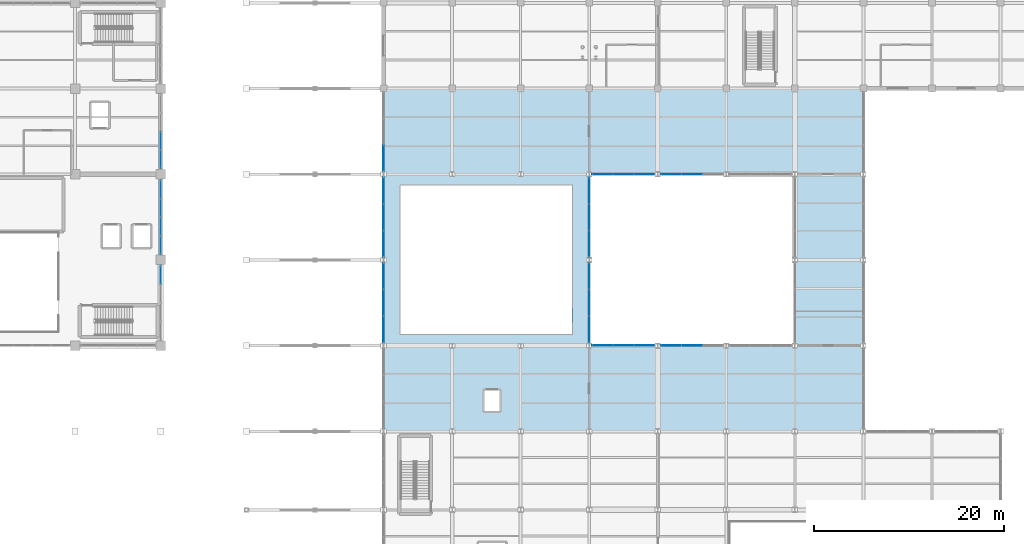
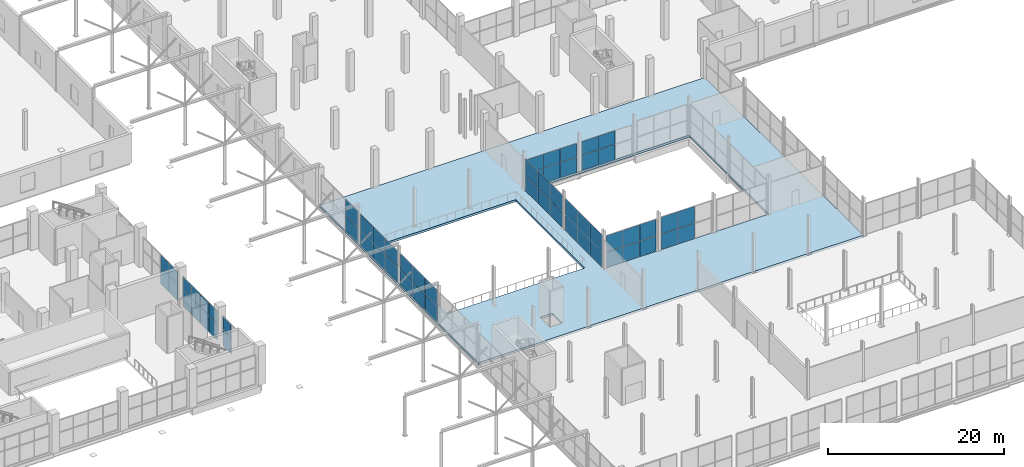
# One storey, part 115 of 147: 60 plates, 1 slab, 12 elements without a shape of their own.
"""IFC4 building model written with IfcOpenShell, lengths in metres."""

from ifc_helpers import new_model, si_unit, direction, frame, origin, origin_2d, place, context, subcontext, project, spatial, polyline, rectangle, outline, extrude, material, layer, layer_set, type_object, element, aggregate, save


model = new_model("IFC4")

# Units and contexts
model_context = context("Model", 3, precision=1e-05, world=origin(), true_north=direction((0.0, 1.0)))
body_context = subcontext(model_context, "Body", "Model", "MODEL_VIEW")
ifc_project = project(units=[si_unit("LENGTHUNIT", "METRE"), si_unit("AREAUNIT", "SQUARE_METRE"), si_unit("VOLUMEUNIT", "CUBIC_METRE"), si_unit("PLANEANGLEUNIT", "RADIAN"), si_unit("MASSUNIT", "GRAM", prefix="KILO")], contexts=[model_context])

# Site, building, storey
site_placement = place(None, origin())
site = spatial("IfcSite", under=ifc_project, at=site_placement, CompositionType="ELEMENT")
building_placement = place(site_placement, origin())
building = spatial("IfcBuilding", under=site, at=building_placement, Name="Sundgate Opera House", CompositionType="ELEMENT")
storey_placement = place(building_placement, frame((0.0, 0.0, 6.0)))
storey = spatial("IfcBuildingStorey", under=building, at=storey_placement, Name="L01", CompositionType="ELEMENT", Elevation=6.0)

# Curtain wall, plates
ifc_material_1 = material(Name="Anodized aluminium and low-iron glass", Category="aluminium")
ifc_layer_1 = layer(ifc_material_1, 0.179931640625)
ifc_layer_set_1 = layer_set([ifc_layer_1], Name="Anodized aluminium and low-iron glass")
curtain_wall_type_1 = type_object("IfcCurtainWallType", Name="CW-FOYER-GLASS", PredefinedType="NOTDEFINED", material=ifc_layer_set_1)
curtain_wall_1_placement = place(storey_placement, origin())
curtain_wall_1 = element("IfcCurtainWall", 1, at=curtain_wall_1_placement, inside=storey, type_object=curtain_wall_type_1, Name="L01 Curtain Wall CW023", PredefinedType="NOTDEFINED")
ifc_material_2 = material(Name="Low-iron triple acoustic glazing", Category="glass")
ifc_layer_2 = layer(ifc_material_2, 0.035888671875)
ifc_layer_set_2 = layer_set([ifc_layer_2], Name="Low-iron triple acoustic glazing")
plate_type_1 = type_object("IfcPlateType", Name="CWP-CLEAR-36", PredefinedType="CURTAIN_PANEL", material=ifc_layer_set_2)
plate_1_placement = place(storey_placement, frame((72.0, 49.425048828125, 0.02001953125), z_axis=(0.0, 0.0, 1.0), x_axis=(0.0, 1.0, 0.0)))
plate_1 = element("IfcPlate", 2, at=plate_1_placement, type_object=plate_type_1, Name="CW023 Panel 7", PredefinedType="CURTAIN_PANEL", context=body_context, shape_type="SweptSolid", body=[
    extrude(rectangle(XDim=1.909912109375, YDim=0.035888671875, at=origin_2d()), origin(), (0.0, 0.0, 1.0), 2.260009765625),
])
plate_2_placement = place(storey_placement, frame((72.0, 49.425048828125, 2.320068359375), z_axis=(0.0, 0.0, 1.0), x_axis=(0.0, 1.0, 0.0)))
plate_2 = element("IfcPlate", 3, at=plate_2_placement, type_object=plate_type_1, Name="CW023 Panel 8", PredefinedType="CURTAIN_PANEL", context=body_context, shape_type="SweptSolid", body=[
    extrude(rectangle(XDim=1.909912109375, YDim=0.035888671875, at=origin_2d()), origin(), (0.0, 0.0, 1.0), 1.7548828125),
])
aggregate(curtain_wall_1, [plate_1, plate_2])

curtain_wall_2_placement = place(storey_placement, origin())
curtain_wall_2 = element("IfcCurtainWall", 4, at=curtain_wall_2_placement, inside=storey, type_object=curtain_wall_type_1, Name="L01 Curtain Wall CW024", PredefinedType="NOTDEFINED")
plate_3_placement = place(storey_placement, frame((72.0, 52.574951171875, 0.02001953125), z_axis=(0.0, 0.0, 1.0), x_axis=(0.0, 1.0, 0.0)))
plate_3 = element("IfcPlate", 5, at=plate_3_placement, type_object=plate_type_1, Name="CW024 Panel 1", PredefinedType="CURTAIN_PANEL", context=body_context, shape_type="SweptSolid", body=[
    extrude(rectangle(XDim=1.909912109375, YDim=0.035888671875, at=origin_2d()), origin(), (0.0, 0.0, 1.0), 2.260009765625),
])
plate_4_placement = place(storey_placement, frame((72.0, 52.574951171875, 2.320068359375), z_axis=(0.0, 0.0, 1.0), x_axis=(0.0, 1.0, 0.0)))
plate_4 = element("IfcPlate", 6, at=plate_4_placement, type_object=plate_type_1, Name="CW024 Panel 2", PredefinedType="CURTAIN_PANEL", context=body_context, shape_type="SweptSolid", body=[
    extrude(rectangle(XDim=1.909912109375, YDim=0.035888671875, at=origin_2d()), origin(), (0.0, 0.0, 1.0), 1.7548828125),
])
plate_5_placement = place(storey_placement, frame((72.0, 54.52490234375, 0.02001953125), z_axis=(0.0, 0.0, 1.0), x_axis=(0.0, 1.0, 0.0)))
plate_5 = element("IfcPlate", 7, at=plate_5_placement, type_object=plate_type_1, Name="CW024 Panel 3", PredefinedType="CURTAIN_PANEL", context=body_context, shape_type="SweptSolid", body=[
    extrude(rectangle(XDim=1.909912109375, YDim=0.035888671875, at=origin_2d()), origin(), (0.0, 0.0, 1.0), 2.260009765625),
])
plate_6_placement = place(storey_placement, frame((72.0, 54.52490234375, 2.320068359375), z_axis=(0.0, 0.0, 1.0), x_axis=(0.0, 1.0, 0.0)))
plate_6 = element("IfcPlate", 8, at=plate_6_placement, type_object=plate_type_1, Name="CW024 Panel 4", PredefinedType="CURTAIN_PANEL", context=body_context, shape_type="SweptSolid", body=[
    extrude(rectangle(XDim=1.909912109375, YDim=0.035888671875, at=origin_2d()), origin(), (0.0, 0.0, 1.0), 1.7548828125),
])
plate_7_placement = place(storey_placement, frame((72.0, 56.47509765625, 0.02001953125), z_axis=(0.0, 0.0, 1.0), x_axis=(0.0, 1.0, 0.0)))
plate_7 = element("IfcPlate", 9, at=plate_7_placement, type_object=plate_type_1, Name="CW024 Panel 5", PredefinedType="CURTAIN_PANEL", context=body_context, shape_type="SweptSolid", body=[
    extrude(rectangle(XDim=1.909912109375, YDim=0.035888671875, at=origin_2d()), origin(), (0.0, 0.0, 1.0), 2.260009765625),
])
plate_8_placement = place(storey_placement, frame((72.0, 56.47509765625, 2.320068359375), z_axis=(0.0, 0.0, 1.0), x_axis=(0.0, 1.0, 0.0)))
plate_8 = element("IfcPlate", 10, at=plate_8_placement, type_object=plate_type_1, Name="CW024 Panel 6", PredefinedType="CURTAIN_PANEL", context=body_context, shape_type="SweptSolid", body=[
    extrude(rectangle(XDim=1.909912109375, YDim=0.035888671875, at=origin_2d()), origin(), (0.0, 0.0, 1.0), 1.7548828125),
])
plate_9_placement = place(storey_placement, frame((72.0, 58.425048828125, 0.02001953125), z_axis=(0.0, 0.0, 1.0), x_axis=(0.0, 1.0, 0.0)))
plate_9 = element("IfcPlate", 11, at=plate_9_placement, type_object=plate_type_1, Name="CW024 Panel 7", PredefinedType="CURTAIN_PANEL", context=body_context, shape_type="SweptSolid", body=[
    extrude(rectangle(XDim=1.909912109375, YDim=0.035888671875, at=origin_2d()), origin(), (0.0, 0.0, 1.0), 2.260009765625),
])
plate_10_placement = place(storey_placement, frame((72.0, 58.425048828125, 2.320068359375), z_axis=(0.0, 0.0, 1.0), x_axis=(0.0, 1.0, 0.0)))
plate_10 = element("IfcPlate", 12, at=plate_10_placement, type_object=plate_type_1, Name="CW024 Panel 8", PredefinedType="CURTAIN_PANEL", context=body_context, shape_type="SweptSolid", body=[
    extrude(rectangle(XDim=1.909912109375, YDim=0.035888671875, at=origin_2d()), origin(), (0.0, 0.0, 1.0), 1.7548828125),
])
aggregate(curtain_wall_2, [plate_3, plate_4, plate_5, plate_6, plate_7, plate_8, plate_9, plate_10])

curtain_wall_3_placement = place(storey_placement, origin())
curtain_wall_3 = element("IfcCurtainWall", 13, at=curtain_wall_3_placement, inside=storey, type_object=curtain_wall_type_1, Name="L01 Curtain Wall CW025", PredefinedType="NOTDEFINED")
plate_11_placement = place(storey_placement, frame((72.0, 61.574951171875, 0.02001953125), z_axis=(0.0, 0.0, 1.0), x_axis=(0.0, 1.0, 0.0)))
plate_11 = element("IfcPlate", 14, at=plate_11_placement, type_object=plate_type_1, Name="CW025 Panel 1", PredefinedType="CURTAIN_PANEL", context=body_context, shape_type="SweptSolid", body=[
    extrude(rectangle(XDim=1.909912109375, YDim=0.035888671875, at=origin_2d()), origin(), (0.0, 0.0, 1.0), 2.260009765625),
])
plate_12_placement = place(storey_placement, frame((72.0, 61.574951171875, 2.320068359375), z_axis=(0.0, 0.0, 1.0), x_axis=(0.0, 1.0, 0.0)))
plate_12 = element("IfcPlate", 15, at=plate_12_placement, type_object=plate_type_1, Name="CW025 Panel 2", PredefinedType="CURTAIN_PANEL", context=body_context, shape_type="SweptSolid", body=[
    extrude(rectangle(XDim=1.909912109375, YDim=0.035888671875, at=origin_2d()), origin(), (0.0, 0.0, 1.0), 1.7548828125),
])
plate_13_placement = place(storey_placement, frame((72.0, 63.52490234375, 0.02001953125), z_axis=(0.0, 0.0, 1.0), x_axis=(0.0, 1.0, 0.0)))
plate_13 = element("IfcPlate", 16, at=plate_13_placement, type_object=plate_type_1, Name="CW025 Panel 3", PredefinedType="CURTAIN_PANEL", context=body_context, shape_type="SweptSolid", body=[
    extrude(rectangle(XDim=1.909912109375, YDim=0.035888671875, at=origin_2d()), origin(), (0.0, 0.0, 1.0), 2.260009765625),
])
plate_14_placement = place(storey_placement, frame((72.0, 63.52490234375, 2.320068359375), z_axis=(0.0, 0.0, 1.0), x_axis=(0.0, 1.0, 0.0)))
plate_14 = element("IfcPlate", 17, at=plate_14_placement, type_object=plate_type_1, Name="CW025 Panel 4", PredefinedType="CURTAIN_PANEL", context=body_context, shape_type="SweptSolid", body=[
    extrude(rectangle(XDim=1.909912109375, YDim=0.035888671875, at=origin_2d()), origin(), (0.0, 0.0, 1.0), 1.7548828125),
])
aggregate(curtain_wall_3, [plate_11, plate_12, plate_13, plate_14])

ifc_material_3 = material(Name="Anodized aluminium and low-iron glass", Category="aluminium")
ifc_layer_3 = layer(ifc_material_3, 0.159912109375)
ifc_layer_set_3 = layer_set([ifc_layer_3], Name="Anodized aluminium and low-iron glass")
curtain_wall_type_2 = type_object("IfcCurtainWallType", Name="CW-STUDIO-DARK", PredefinedType="NOTDEFINED", material=ifc_layer_set_3)
curtain_wall_4_placement = place(storey_placement, origin())
curtain_wall_4 = element("IfcCurtainWall", 18, at=curtain_wall_4_placement, inside=storey, type_object=curtain_wall_type_2, Name="L01 Curtain Wall CW046", PredefinedType="NOTDEFINED")
ifc_material_4 = material(Name="Dark solar-control triple acoustic glazing", Category="glass")
ifc_layer_4 = layer(ifc_material_4, 0.031982421875)
ifc_layer_set_4 = layer_set([ifc_layer_4], Name="Dark solar-control triple acoustic glazing")
plate_type_2 = type_object("IfcPlateType", Name="CWP-DARK-32", PredefinedType="CURTAIN_PANEL", material=ifc_layer_set_4)
plate_15_placement = place(storey_placement, frame((95.39990234375, 49.283447265625, 0.02001953125), z_axis=(0.0, 0.0, 1.0), x_axis=(0.0, -1.0, 0.0)))
plate_15 = element("IfcPlate", 19, at=plate_15_placement, type_object=plate_type_2, Name="CW046 Panel 1", PredefinedType="CURTAIN_PANEL", context=body_context, shape_type="SweptSolid", body=[
    extrude(rectangle(XDim=2.743408203125, YDim=0.031982421875, at=origin_2d()), origin(), (0.0, 0.0, 1.0), 2.110107421875),
])
plate_16_placement = place(storey_placement, frame((95.39990234375, 49.283447265625, 2.169921875), z_axis=(0.0, 0.0, 1.0), x_axis=(0.0, -1.0, 0.0)))
plate_16 = element("IfcPlate", 20, at=plate_16_placement, type_object=plate_type_2, Name="CW046 Panel 2", PredefinedType="CURTAIN_PANEL", context=body_context, shape_type="SweptSolid", body=[
    extrude(rectangle(XDim=2.743408203125, YDim=0.031982421875, at=origin_2d()), origin(), (0.0, 0.0, 1.0), 2.22509765625),
])
plate_17_placement = place(storey_placement, frame((95.39990234375, 46.5, 0.02001953125), z_axis=(0.0, 0.0, 1.0), x_axis=(0.0, -1.0, 0.0)))
plate_17 = element("IfcPlate", 21, at=plate_17_placement, type_object=plate_type_2, Name="CW046 Panel 3", PredefinedType="CURTAIN_PANEL", context=body_context, shape_type="SweptSolid", body=[
    extrude(rectangle(XDim=2.743408203125, YDim=0.031982421875, at=origin_2d()), origin(), (0.0, 0.0, 1.0), 2.110107421875),
])
plate_18_placement = place(storey_placement, frame((95.39990234375, 46.5, 2.169921875), z_axis=(0.0, 0.0, 1.0), x_axis=(0.0, -1.0, 0.0)))
plate_18 = element("IfcPlate", 22, at=plate_18_placement, type_object=plate_type_2, Name="CW046 Panel 4", PredefinedType="CURTAIN_PANEL", context=body_context, shape_type="SweptSolid", body=[
    extrude(rectangle(XDim=2.743408203125, YDim=0.031982421875, at=origin_2d()), origin(), (0.0, 0.0, 1.0), 2.22509765625),
])
plate_19_placement = place(storey_placement, frame((95.39990234375, 43.716552734375, 0.02001953125), z_axis=(0.0, 0.0, 1.0), x_axis=(0.0, -1.0, 0.0)))
plate_19 = element("IfcPlate", 23, at=plate_19_placement, type_object=plate_type_2, Name="CW046 Panel 5", PredefinedType="CURTAIN_PANEL", context=body_context, shape_type="SweptSolid", body=[
    extrude(rectangle(XDim=2.743408203125, YDim=0.031982421875, at=origin_2d()), origin(), (0.0, 0.0, 1.0), 2.110107421875),
])
plate_20_placement = place(storey_placement, frame((95.39990234375, 43.716552734375, 2.169921875), z_axis=(0.0, 0.0, 1.0), x_axis=(0.0, -1.0, 0.0)))
plate_20 = element("IfcPlate", 24, at=plate_20_placement, type_object=plate_type_2, Name="CW046 Panel 6", PredefinedType="CURTAIN_PANEL", context=body_context, shape_type="SweptSolid", body=[
    extrude(rectangle(XDim=2.743408203125, YDim=0.031982421875, at=origin_2d()), origin(), (0.0, 0.0, 1.0), 2.22509765625),
])
aggregate(curtain_wall_4, [plate_15, plate_16, plate_17, plate_18, plate_19, plate_20])

curtain_wall_5_placement = place(storey_placement, origin())
curtain_wall_5 = element("IfcCurtainWall", 25, at=curtain_wall_5_placement, inside=storey, type_object=curtain_wall_type_2, Name="L01 Curtain Wall CW048", PredefinedType="NOTDEFINED")
plate_21_placement = place(storey_placement, frame((95.39990234375, 58.283447265625, 0.02001953125), z_axis=(0.0, 0.0, 1.0), x_axis=(0.0, -1.0, 0.0)))
plate_21 = element("IfcPlate", 26, at=plate_21_placement, type_object=plate_type_2, Name="CW048 Panel 1", PredefinedType="CURTAIN_PANEL", context=body_context, shape_type="SweptSolid", body=[
    extrude(rectangle(XDim=2.743408203125, YDim=0.031982421875, at=origin_2d()), origin(), (0.0, 0.0, 1.0), 2.110107421875),
])
plate_22_placement = place(storey_placement, frame((95.39990234375, 58.283447265625, 2.169921875), z_axis=(0.0, 0.0, 1.0), x_axis=(0.0, -1.0, 0.0)))
plate_22 = element("IfcPlate", 27, at=plate_22_placement, type_object=plate_type_2, Name="CW048 Panel 2", PredefinedType="CURTAIN_PANEL", context=body_context, shape_type="SweptSolid", body=[
    extrude(rectangle(XDim=2.743408203125, YDim=0.031982421875, at=origin_2d()), origin(), (0.0, 0.0, 1.0), 2.22509765625),
])
plate_23_placement = place(storey_placement, frame((95.39990234375, 55.5, 0.02001953125), z_axis=(0.0, 0.0, 1.0), x_axis=(0.0, -1.0, 0.0)))
plate_23 = element("IfcPlate", 28, at=plate_23_placement, type_object=plate_type_2, Name="CW048 Panel 3", PredefinedType="CURTAIN_PANEL", context=body_context, shape_type="SweptSolid", body=[
    extrude(rectangle(XDim=2.743408203125, YDim=0.031982421875, at=origin_2d()), origin(), (0.0, 0.0, 1.0), 2.110107421875),
])
plate_24_placement = place(storey_placement, frame((95.39990234375, 55.5, 2.169921875), z_axis=(0.0, 0.0, 1.0), x_axis=(0.0, -1.0, 0.0)))
plate_24 = element("IfcPlate", 29, at=plate_24_placement, type_object=plate_type_2, Name="CW048 Panel 4", PredefinedType="CURTAIN_PANEL", context=body_context, shape_type="SweptSolid", body=[
    extrude(rectangle(XDim=2.743408203125, YDim=0.031982421875, at=origin_2d()), origin(), (0.0, 0.0, 1.0), 2.22509765625),
])
plate_25_placement = place(storey_placement, frame((95.39990234375, 52.716552734375, 0.02001953125), z_axis=(0.0, 0.0, 1.0), x_axis=(0.0, -1.0, 0.0)))
plate_25 = element("IfcPlate", 30, at=plate_25_placement, type_object=plate_type_2, Name="CW048 Panel 5", PredefinedType="CURTAIN_PANEL", context=body_context, shape_type="SweptSolid", body=[
    extrude(rectangle(XDim=2.743408203125, YDim=0.031982421875, at=origin_2d()), origin(), (0.0, 0.0, 1.0), 2.110107421875),
])
plate_26_placement = place(storey_placement, frame((95.39990234375, 52.716552734375, 2.169921875), z_axis=(0.0, 0.0, 1.0), x_axis=(0.0, -1.0, 0.0)))
plate_26 = element("IfcPlate", 31, at=plate_26_placement, type_object=plate_type_2, Name="CW048 Panel 6", PredefinedType="CURTAIN_PANEL", context=body_context, shape_type="SweptSolid", body=[
    extrude(rectangle(XDim=2.743408203125, YDim=0.031982421875, at=origin_2d()), origin(), (0.0, 0.0, 1.0), 2.22509765625),
])
aggregate(curtain_wall_5, [plate_21, plate_22, plate_23, plate_24, plate_25, plate_26])

curtain_wall_6_placement = place(storey_placement, origin())
curtain_wall_6 = element("IfcCurtainWall", 32, at=curtain_wall_6_placement, inside=storey, type_object=curtain_wall_type_2, Name="L01 Curtain Wall CW050", PredefinedType="NOTDEFINED")
plate_27_placement = place(storey_placement, frame((95.39990234375, 61.708251953125, 0.02001953125), z_axis=(0.0, 0.0, 1.0), x_axis=(0.0, -1.0, 0.0)))
plate_27 = element("IfcPlate", 33, at=plate_27_placement, type_object=plate_type_2, Name="CW050 Panel 5", PredefinedType="CURTAIN_PANEL", context=body_context, shape_type="SweptSolid", body=[
    extrude(rectangle(XDim=2.7265625, YDim=0.031982421875, at=origin_2d()), origin(), (0.0, 0.0, 1.0), 2.110107421875),
])
plate_28_placement = place(storey_placement, frame((95.39990234375, 61.708251953125, 2.169921875), z_axis=(0.0, 0.0, 1.0), x_axis=(0.0, -1.0, 0.0)))
plate_28 = element("IfcPlate", 34, at=plate_28_placement, type_object=plate_type_2, Name="CW050 Panel 6", PredefinedType="CURTAIN_PANEL", context=body_context, shape_type="SweptSolid", body=[
    extrude(rectangle(XDim=2.7265625, YDim=0.031982421875, at=origin_2d()), origin(), (0.0, 0.0, 1.0), 2.22509765625),
])
aggregate(curtain_wall_6, [plate_27, plate_28])

curtain_wall_7_placement = place(storey_placement, origin())
curtain_wall_7 = element("IfcCurtainWall", 35, at=curtain_wall_7_placement, inside=storey, type_object=curtain_wall_type_2, Name="L01 Curtain Wall CW052", PredefinedType="NOTDEFINED")
plate_29_placement = place(storey_placement, frame((118.416748046875, 42.0, 0.02001953125), z_axis=(0.0, 0.0, 1.0), x_axis=(1.0, 0.0, 0.0)))
plate_29 = element("IfcPlate", 36, at=plate_29_placement, type_object=plate_type_2, Name="CW052 Panel 1", PredefinedType="CURTAIN_PANEL", context=body_context, shape_type="SweptSolid", body=[
    extrude(rectangle(XDim=2.143310546875, YDim=0.031982421875, at=origin_2d()), origin(), (0.0, 0.0, 1.0), 2.110107421875),
])
plate_30_placement = place(storey_placement, frame((118.416748046875, 42.0, 2.170166015625), z_axis=(0.0, 0.0, 1.0), x_axis=(1.0, 0.0, 0.0)))
plate_30 = element("IfcPlate", 37, at=plate_30_placement, type_object=plate_type_2, Name="CW052 Panel 2", PredefinedType="CURTAIN_PANEL", context=body_context, shape_type="SweptSolid", body=[
    extrude(rectangle(XDim=2.143310546875, YDim=0.031982421875, at=origin_2d()), origin(), (0.0, 0.0, 1.0), 2.27490234375),
])
plate_31_placement = place(storey_placement, frame((120.60009765625, 42.0, 0.02001953125), z_axis=(0.0, 0.0, 1.0), x_axis=(1.0, 0.0, 0.0)))
plate_31 = element("IfcPlate", 38, at=plate_31_placement, type_object=plate_type_2, Name="CW052 Panel 3", PredefinedType="CURTAIN_PANEL", context=body_context, shape_type="SweptSolid", body=[
    extrude(rectangle(XDim=2.143310546875, YDim=0.031982421875, at=origin_2d()), origin(), (0.0, 0.0, 1.0), 2.110107421875),
])
plate_32_placement = place(storey_placement, frame((120.60009765625, 42.0, 2.170166015625), z_axis=(0.0, 0.0, 1.0), x_axis=(1.0, 0.0, 0.0)))
plate_32 = element("IfcPlate", 39, at=plate_32_placement, type_object=plate_type_2, Name="CW052 Panel 4", PredefinedType="CURTAIN_PANEL", context=body_context, shape_type="SweptSolid", body=[
    extrude(rectangle(XDim=2.143310546875, YDim=0.031982421875, at=origin_2d()), origin(), (0.0, 0.0, 1.0), 2.27490234375),
])
plate_33_placement = place(storey_placement, frame((122.783447265625, 42.0, 0.02001953125), z_axis=(0.0, 0.0, 1.0), x_axis=(1.0, 0.0, 0.0)))
plate_33 = element("IfcPlate", 40, at=plate_33_placement, type_object=plate_type_2, Name="CW052 Panel 5", PredefinedType="CURTAIN_PANEL", context=body_context, shape_type="SweptSolid", body=[
    extrude(rectangle(XDim=2.143310546875, YDim=0.031982421875, at=origin_2d()), origin(), (0.0, 0.0, 1.0), 2.110107421875),
])
plate_34_placement = place(storey_placement, frame((122.783447265625, 42.0, 2.170166015625), z_axis=(0.0, 0.0, 1.0), x_axis=(1.0, 0.0, 0.0)))
plate_34 = element("IfcPlate", 41, at=plate_34_placement, type_object=plate_type_2, Name="CW052 Panel 6", PredefinedType="CURTAIN_PANEL", context=body_context, shape_type="SweptSolid", body=[
    extrude(rectangle(XDim=2.143310546875, YDim=0.031982421875, at=origin_2d()), origin(), (0.0, 0.0, 1.0), 2.27490234375),
])
aggregate(curtain_wall_7, [plate_29, plate_30, plate_31, plate_32, plate_33, plate_34])

curtain_wall_8_placement = place(storey_placement, origin())
curtain_wall_8 = element("IfcCurtainWall", 42, at=curtain_wall_8_placement, inside=storey, type_object=curtain_wall_type_2, Name="L01 Curtain Wall CW053", PredefinedType="NOTDEFINED")
plate_35_placement = place(storey_placement, frame((122.783447265625, 60.0, 0.02001953125), z_axis=(0.0, 0.0, 1.0), x_axis=(-1.0, 0.0, 0.0)))
plate_35 = element("IfcPlate", 43, at=plate_35_placement, type_object=plate_type_2, Name="CW053 Panel 1", PredefinedType="CURTAIN_PANEL", context=body_context, shape_type="SweptSolid", body=[
    extrude(rectangle(XDim=2.143310546875, YDim=0.031982421875, at=origin_2d()), origin(), (0.0, 0.0, 1.0), 2.110107421875),
])
plate_36_placement = place(storey_placement, frame((122.783447265625, 60.0, 2.169921875), z_axis=(0.0, 0.0, 1.0), x_axis=(-1.0, 0.0, 0.0)))
plate_36 = element("IfcPlate", 44, at=plate_36_placement, type_object=plate_type_2, Name="CW053 Panel 2", PredefinedType="CURTAIN_PANEL", context=body_context, shape_type="SweptSolid", body=[
    extrude(rectangle(XDim=2.143310546875, YDim=0.031982421875, at=origin_2d()), origin(), (0.0, 0.0, 1.0), 1.875),
])
plate_37_placement = place(storey_placement, frame((120.60009765625, 60.0, 0.02001953125), z_axis=(0.0, 0.0, 1.0), x_axis=(-1.0, 0.0, 0.0)))
plate_37 = element("IfcPlate", 45, at=plate_37_placement, type_object=plate_type_2, Name="CW053 Panel 3", PredefinedType="CURTAIN_PANEL", context=body_context, shape_type="SweptSolid", body=[
    extrude(rectangle(XDim=2.143310546875, YDim=0.031982421875, at=origin_2d()), origin(), (0.0, 0.0, 1.0), 2.110107421875),
])
plate_38_placement = place(storey_placement, frame((120.60009765625, 60.0, 2.169921875), z_axis=(0.0, 0.0, 1.0), x_axis=(-1.0, 0.0, 0.0)))
plate_38 = element("IfcPlate", 46, at=plate_38_placement, type_object=plate_type_2, Name="CW053 Panel 4", PredefinedType="CURTAIN_PANEL", context=body_context, shape_type="SweptSolid", body=[
    extrude(rectangle(XDim=2.143310546875, YDim=0.031982421875, at=origin_2d()), origin(), (0.0, 0.0, 1.0), 1.875),
])
plate_39_placement = place(storey_placement, frame((118.416748046875, 60.0, 0.02001953125), z_axis=(0.0, 0.0, 1.0), x_axis=(-1.0, 0.0, 0.0)))
plate_39 = element("IfcPlate", 47, at=plate_39_placement, type_object=plate_type_2, Name="CW053 Panel 5", PredefinedType="CURTAIN_PANEL", context=body_context, shape_type="SweptSolid", body=[
    extrude(rectangle(XDim=2.143310546875, YDim=0.031982421875, at=origin_2d()), origin(), (0.0, 0.0, 1.0), 2.110107421875),
])
plate_40_placement = place(storey_placement, frame((118.416748046875, 60.0, 2.169921875), z_axis=(0.0, 0.0, 1.0), x_axis=(-1.0, 0.0, 0.0)))
plate_40 = element("IfcPlate", 48, at=plate_40_placement, type_object=plate_type_2, Name="CW053 Panel 6", PredefinedType="CURTAIN_PANEL", context=body_context, shape_type="SweptSolid", body=[
    extrude(rectangle(XDim=2.143310546875, YDim=0.031982421875, at=origin_2d()), origin(), (0.0, 0.0, 1.0), 1.875),
])
aggregate(curtain_wall_8, [plate_35, plate_36, plate_37, plate_38, plate_39, plate_40])

curtain_wall_9_placement = place(storey_placement, origin())
curtain_wall_9 = element("IfcCurtainWall", 49, at=curtain_wall_9_placement, inside=storey, type_object=curtain_wall_type_2, Name="L01 Curtain Wall CW054", PredefinedType="NOTDEFINED")
plate_41_placement = place(storey_placement, frame((125.61669921875, 42.0, 0.02001953125), z_axis=(0.0, 0.0, 1.0), x_axis=(1.0, 0.0, 0.0)))
plate_41 = element("IfcPlate", 50, at=plate_41_placement, type_object=plate_type_2, Name="CW054 Panel 1", PredefinedType="CURTAIN_PANEL", context=body_context, shape_type="SweptSolid", body=[
    extrude(rectangle(XDim=2.143310546875, YDim=0.031982421875, at=origin_2d()), origin(), (0.0, 0.0, 1.0), 2.110107421875),
])
plate_42_placement = place(storey_placement, frame((125.61669921875, 42.0, 2.169921875), z_axis=(0.0, 0.0, 1.0), x_axis=(1.0, 0.0, 0.0)))
plate_42 = element("IfcPlate", 51, at=plate_42_placement, type_object=plate_type_2, Name="CW054 Panel 2", PredefinedType="CURTAIN_PANEL", context=body_context, shape_type="SweptSolid", body=[
    extrude(rectangle(XDim=2.143310546875, YDim=0.031982421875, at=origin_2d()), origin(), (0.0, 0.0, 1.0), 2.324951171875),
])
plate_43_placement = place(storey_placement, frame((127.800048828125, 42.0, 0.02001953125), z_axis=(0.0, 0.0, 1.0), x_axis=(1.0, 0.0, 0.0)))
plate_43 = element("IfcPlate", 52, at=plate_43_placement, type_object=plate_type_2, Name="CW054 Panel 3", PredefinedType="CURTAIN_PANEL", context=body_context, shape_type="SweptSolid", body=[
    extrude(rectangle(XDim=2.143310546875, YDim=0.031982421875, at=origin_2d()), origin(), (0.0, 0.0, 1.0), 2.110107421875),
])
plate_44_placement = place(storey_placement, frame((127.800048828125, 42.0, 2.169921875), z_axis=(0.0, 0.0, 1.0), x_axis=(1.0, 0.0, 0.0)))
plate_44 = element("IfcPlate", 53, at=plate_44_placement, type_object=plate_type_2, Name="CW054 Panel 4", PredefinedType="CURTAIN_PANEL", context=body_context, shape_type="SweptSolid", body=[
    extrude(rectangle(XDim=2.143310546875, YDim=0.031982421875, at=origin_2d()), origin(), (0.0, 0.0, 1.0), 2.324951171875),
])
aggregate(curtain_wall_9, [plate_41, plate_42, plate_43, plate_44])

curtain_wall_10_placement = place(storey_placement, origin())
curtain_wall_10 = element("IfcCurtainWall", 54, at=curtain_wall_10_placement, inside=storey, type_object=curtain_wall_type_2, Name="L01 Curtain Wall CW055", PredefinedType="NOTDEFINED")
plate_45_placement = place(storey_placement, frame((127.800048828125, 60.0, 0.02001953125), z_axis=(0.0, 0.0, 1.0), x_axis=(-1.0, 0.0, 0.0)))
plate_45 = element("IfcPlate", 55, at=plate_45_placement, type_object=plate_type_2, Name="CW055 Panel 3", PredefinedType="CURTAIN_PANEL", context=body_context, shape_type="SweptSolid", body=[
    extrude(rectangle(XDim=2.143310546875, YDim=0.031982421875, at=origin_2d()), origin(), (0.0, 0.0, 1.0), 2.110107421875),
])
plate_46_placement = place(storey_placement, frame((127.800048828125, 60.0, 2.169921875), z_axis=(0.0, 0.0, 1.0), x_axis=(-1.0, 0.0, 0.0)))
plate_46 = element("IfcPlate", 56, at=plate_46_placement, type_object=plate_type_2, Name="CW055 Panel 4", PredefinedType="CURTAIN_PANEL", context=body_context, shape_type="SweptSolid", body=[
    extrude(rectangle(XDim=2.143310546875, YDim=0.031982421875, at=origin_2d()), origin(), (0.0, 0.0, 1.0), 1.875),
])
plate_47_placement = place(storey_placement, frame((125.61669921875, 60.0, 0.02001953125), z_axis=(0.0, 0.0, 1.0), x_axis=(-1.0, 0.0, 0.0)))
plate_47 = element("IfcPlate", 57, at=plate_47_placement, type_object=plate_type_2, Name="CW055 Panel 5", PredefinedType="CURTAIN_PANEL", context=body_context, shape_type="SweptSolid", body=[
    extrude(rectangle(XDim=2.143310546875, YDim=0.031982421875, at=origin_2d()), origin(), (0.0, 0.0, 1.0), 2.110107421875),
])
plate_48_placement = place(storey_placement, frame((125.61669921875, 60.0, 2.169921875), z_axis=(0.0, 0.0, 1.0), x_axis=(-1.0, 0.0, 0.0)))
plate_48 = element("IfcPlate", 58, at=plate_48_placement, type_object=plate_type_2, Name="CW055 Panel 6", PredefinedType="CURTAIN_PANEL", context=body_context, shape_type="SweptSolid", body=[
    extrude(rectangle(XDim=2.143310546875, YDim=0.031982421875, at=origin_2d()), origin(), (0.0, 0.0, 1.0), 1.875),
])
aggregate(curtain_wall_10, [plate_45, plate_46, plate_47, plate_48])

curtain_wall_11_placement = place(storey_placement, origin())
curtain_wall_11 = element("IfcCurtainWall", 59, at=curtain_wall_11_placement, inside=storey, type_object=curtain_wall_type_2, Name="L01 Curtain Wall CW058", PredefinedType="NOTDEFINED")
plate_49_placement = place(storey_placement, frame((117.0, 43.716552734375, 0.02001953125), z_axis=(0.0, 0.0, 1.0), x_axis=(0.0, 1.0, 0.0)))
plate_49 = element("IfcPlate", 60, at=plate_49_placement, type_object=plate_type_2, Name="CW058 Panel 1", PredefinedType="CURTAIN_PANEL", context=body_context, shape_type="SweptSolid", body=[
    extrude(rectangle(XDim=2.743408203125, YDim=0.031982421875, at=origin_2d()), origin(), (0.0, 0.0, 1.0), 2.110107421875),
])
plate_50_placement = place(storey_placement, frame((117.0, 43.716552734375, 2.170166015625), z_axis=(0.0, 0.0, 1.0), x_axis=(0.0, 1.0, 0.0)))
plate_50 = element("IfcPlate", 61, at=plate_50_placement, type_object=plate_type_2, Name="CW058 Panel 2", PredefinedType="CURTAIN_PANEL", context=body_context, shape_type="SweptSolid", body=[
    extrude(rectangle(XDim=2.743408203125, YDim=0.031982421875, at=origin_2d()), origin(), (0.0, 0.0, 1.0), 2.27490234375),
])
plate_51_placement = place(storey_placement, frame((117.0, 46.5, 0.02001953125), z_axis=(0.0, 0.0, 1.0), x_axis=(0.0, 1.0, 0.0)))
plate_51 = element("IfcPlate", 62, at=plate_51_placement, type_object=plate_type_2, Name="CW058 Panel 3", PredefinedType="CURTAIN_PANEL", context=body_context, shape_type="SweptSolid", body=[
    extrude(rectangle(XDim=2.743408203125, YDim=0.031982421875, at=origin_2d()), origin(), (0.0, 0.0, 1.0), 2.110107421875),
])
plate_52_placement = place(storey_placement, frame((117.0, 46.5, 2.170166015625), z_axis=(0.0, 0.0, 1.0), x_axis=(0.0, 1.0, 0.0)))
plate_52 = element("IfcPlate", 63, at=plate_52_placement, type_object=plate_type_2, Name="CW058 Panel 4", PredefinedType="CURTAIN_PANEL", context=body_context, shape_type="SweptSolid", body=[
    extrude(rectangle(XDim=2.743408203125, YDim=0.031982421875, at=origin_2d()), origin(), (0.0, 0.0, 1.0), 2.27490234375),
])
plate_53_placement = place(storey_placement, frame((117.0, 49.283447265625, 0.02001953125), z_axis=(0.0, 0.0, 1.0), x_axis=(0.0, 1.0, 0.0)))
plate_53 = element("IfcPlate", 64, at=plate_53_placement, type_object=plate_type_2, Name="CW058 Panel 5", PredefinedType="CURTAIN_PANEL", context=body_context, shape_type="SweptSolid", body=[
    extrude(rectangle(XDim=2.743408203125, YDim=0.031982421875, at=origin_2d()), origin(), (0.0, 0.0, 1.0), 2.110107421875),
])
plate_54_placement = place(storey_placement, frame((117.0, 49.283447265625, 2.170166015625), z_axis=(0.0, 0.0, 1.0), x_axis=(0.0, 1.0, 0.0)))
plate_54 = element("IfcPlate", 65, at=plate_54_placement, type_object=plate_type_2, Name="CW058 Panel 6", PredefinedType="CURTAIN_PANEL", context=body_context, shape_type="SweptSolid", body=[
    extrude(rectangle(XDim=2.743408203125, YDim=0.031982421875, at=origin_2d()), origin(), (0.0, 0.0, 1.0), 2.27490234375),
])
aggregate(curtain_wall_11, [plate_49, plate_50, plate_51, plate_52, plate_53, plate_54])

curtain_wall_12_placement = place(storey_placement, origin())
curtain_wall_12 = element("IfcCurtainWall", 66, at=curtain_wall_12_placement, inside=storey, type_object=curtain_wall_type_2, Name="L01 Curtain Wall CW060", PredefinedType="NOTDEFINED")
plate_55_placement = place(storey_placement, frame((117.0, 52.716552734375, 0.02001953125), z_axis=(0.0, 0.0, 1.0), x_axis=(0.0, 1.0, 0.0)))
plate_55 = element("IfcPlate", 67, at=plate_55_placement, type_object=plate_type_2, Name="CW060 Panel 1", PredefinedType="CURTAIN_PANEL", context=body_context, shape_type="SweptSolid", body=[
    extrude(rectangle(XDim=2.743408203125, YDim=0.031982421875, at=origin_2d()), origin(), (0.0, 0.0, 1.0), 2.110107421875),
])
plate_56_placement = place(storey_placement, frame((117.0, 52.716552734375, 2.169921875), z_axis=(0.0, 0.0, 1.0), x_axis=(0.0, 1.0, 0.0)))
plate_56 = element("IfcPlate", 68, at=plate_56_placement, type_object=plate_type_2, Name="CW060 Panel 2", PredefinedType="CURTAIN_PANEL", context=body_context, shape_type="SweptSolid", body=[
    extrude(rectangle(XDim=2.743408203125, YDim=0.031982421875, at=origin_2d()), origin(), (0.0, 0.0, 1.0), 2.324951171875),
])
plate_57_placement = place(storey_placement, frame((117.0, 55.5, 0.02001953125), z_axis=(0.0, 0.0, 1.0), x_axis=(0.0, 1.0, 0.0)))
plate_57 = element("IfcPlate", 69, at=plate_57_placement, type_object=plate_type_2, Name="CW060 Panel 3", PredefinedType="CURTAIN_PANEL", context=body_context, shape_type="SweptSolid", body=[
    extrude(rectangle(XDim=2.743408203125, YDim=0.031982421875, at=origin_2d()), origin(), (0.0, 0.0, 1.0), 2.110107421875),
])
plate_58_placement = place(storey_placement, frame((117.0, 55.5, 2.169921875), z_axis=(0.0, 0.0, 1.0), x_axis=(0.0, 1.0, 0.0)))
plate_58 = element("IfcPlate", 70, at=plate_58_placement, type_object=plate_type_2, Name="CW060 Panel 4", PredefinedType="CURTAIN_PANEL", context=body_context, shape_type="SweptSolid", body=[
    extrude(rectangle(XDim=2.743408203125, YDim=0.031982421875, at=origin_2d()), origin(), (0.0, 0.0, 1.0), 2.324951171875),
])
plate_59_placement = place(storey_placement, frame((117.0, 58.283447265625, 0.02001953125), z_axis=(0.0, 0.0, 1.0), x_axis=(0.0, 1.0, 0.0)))
plate_59 = element("IfcPlate", 71, at=plate_59_placement, type_object=plate_type_2, Name="CW060 Panel 5", PredefinedType="CURTAIN_PANEL", context=body_context, shape_type="SweptSolid", body=[
    extrude(rectangle(XDim=2.743408203125, YDim=0.031982421875, at=origin_2d()), origin(), (0.0, 0.0, 1.0), 2.110107421875),
])
plate_60_placement = place(storey_placement, frame((117.0, 58.283447265625, 2.169921875), z_axis=(0.0, 0.0, 1.0), x_axis=(0.0, 1.0, 0.0)))
plate_60 = element("IfcPlate", 72, at=plate_60_placement, type_object=plate_type_2, Name="CW060 Panel 6", PredefinedType="CURTAIN_PANEL", context=body_context, shape_type="SweptSolid", body=[
    extrude(rectangle(XDim=2.743408203125, YDim=0.031982421875, at=origin_2d()), origin(), (0.0, 0.0, 1.0), 2.324951171875),
])
aggregate(curtain_wall_12, [plate_55, plate_56, plate_57, plate_58, plate_59, plate_60])

# Slab
ifc_material_5 = material(Name="Concrete C40/50", Category="concrete")
ifc_layer_5 = layer(ifc_material_5, 0.300048828125)
ifc_layer_set_5 = layer_set([ifc_layer_5], Name="Concrete C40/50")
slab_type = type_object("IfcSlabType", Name="SL-FLR-300", PredefinedType="FLOOR", material=ifc_layer_set_5)
slab_placement = place(storey_placement, frame((0.0, 0.0, -0.300048828125)))
element("IfcSlab", 73, at=slab_placement, inside=storey, type_object=slab_type, Name="L01 Structural Floor Slab V2", PredefinedType="FLOOR", context=body_context, shape_type="SweptSolid", body=[
    extrude(outline(polyline([(95.39990234375, 33.0), (145.800048828125, 33.0), (145.800048828125, 69.0), (95.39990234375, 69.0), (95.39990234375, 33.0)]), holes=[polyline([(117.0, 60.0), (138.60009765625, 60.0), (138.60009765625, 42.0), (117.0, 42.0), (117.0, 60.0)]), polyline([(97.199951171875, 58.800048828125), (115.199951171875, 58.800048828125), (115.199951171875, 43.199951171875), (97.199951171875, 43.199951171875), (97.199951171875, 58.800048828125)]), polyline([(106.02001953125, 37.280029296875), (107.580078125, 37.280029296875), (107.580078125, 35.1201171875), (106.02001953125, 35.1201171875), (106.02001953125, 37.280029296875)])]), origin(), (0.0, 0.0, 1.0), 0.300048828125),
])

save(model, "model.ifc")
